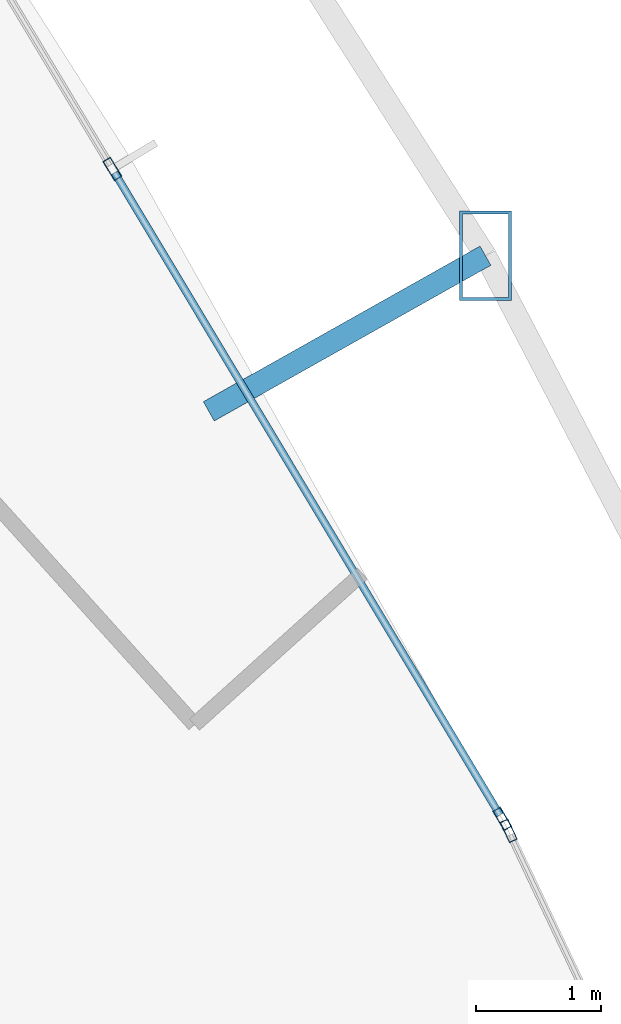
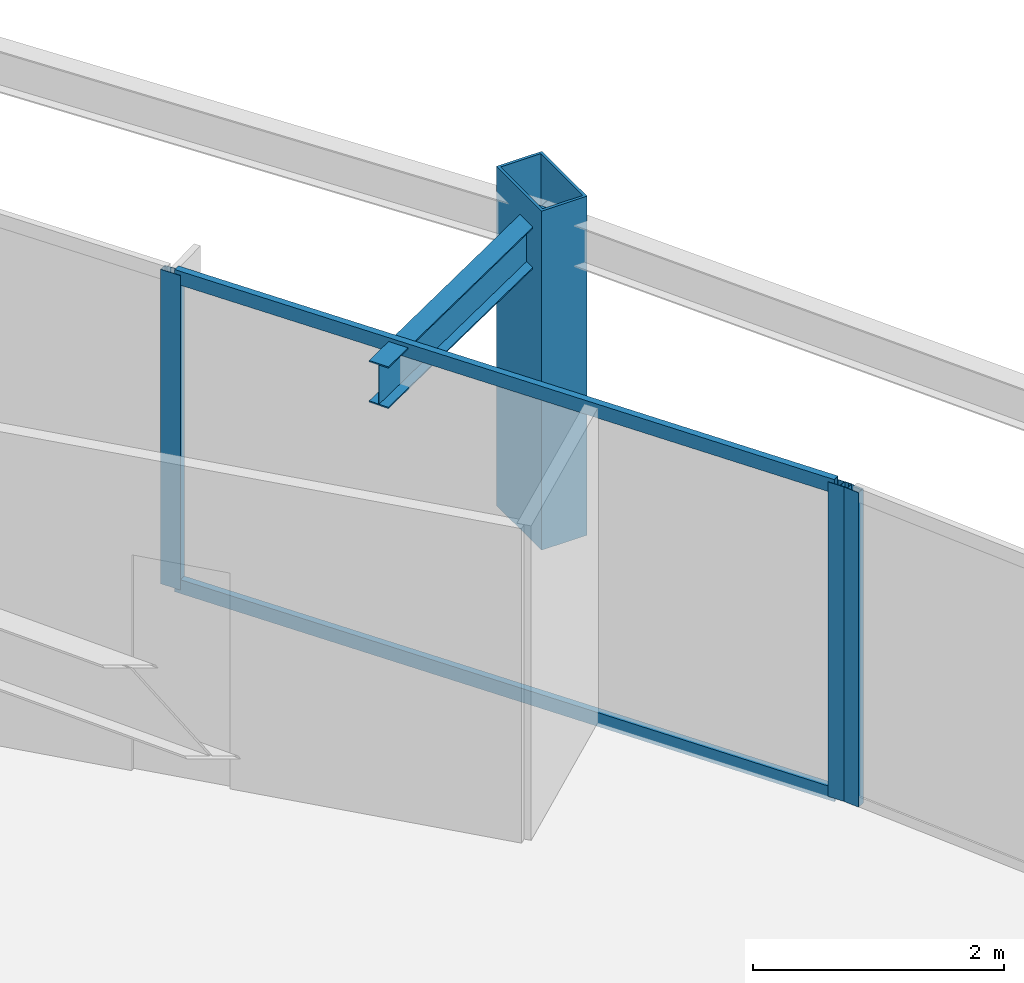
# One storey, part 18 of 34: 6 members, 1 beam, 2 elements without a shape of their own.
"""IFC4 building model written with IfcOpenShell, lengths in metres."""

from ifc_helpers import new_model, si_unit, direction, frame, origin, origin_2d, place, context, subcontext, project, spatial, hollow_rectangle, i_section, extrude, material, layer, layer_set, material_profile, profile_set, type_object, element, aggregate, save


model = new_model("IFC4")

# Units and contexts
model_context = context("Model", 3, precision=1e-05, world=origin(), true_north=direction((0.0, 1.0)))
body_context = subcontext(model_context, "Body", "Model", "MODEL_VIEW")
ifc_project = project(units=[si_unit("LENGTHUNIT", "METRE"), si_unit("AREAUNIT", "SQUARE_METRE"), si_unit("VOLUMEUNIT", "CUBIC_METRE"), si_unit("PLANEANGLEUNIT", "RADIAN"), si_unit("MASSUNIT", "GRAM", prefix="KILO")], contexts=[model_context])

# Site, building, storey
site_placement = place(None, origin())
site = spatial("IfcSite", under=ifc_project, at=site_placement, CompositionType="ELEMENT")
building_placement = place(site_placement, origin())
building = spatial("IfcBuilding", under=site, at=building_placement, Name="Orvanel Arch Residences", CompositionType="ELEMENT")
storey_placement = place(building_placement, frame((0.0, 0.0, 74.14990234375)))
storey = spatial("IfcBuildingStorey", under=building, at=storey_placement, Name="L20", CompositionType="ELEMENT", Elevation=74.14990234375)

# Member
ifc_material_1 = material(Name="Structural steel AS/NZS 3678 Grade 350", Category="steel")
ifc_material_profile_1 = material_profile(ifc_material_1, hollow_rectangle(XDim=0.419921875, YDim=0.719970703125, WallThickness=0.02490234375, at=origin_2d()), Name="RHS720x420x25")
ifc_profile_set_1 = profile_set([ifc_material_profile_1], Name="Structural steel AS/NZS 3678 Grade 350")
member_type_1 = type_object("IfcMemberType", Name="CH-720RHS-EXT", PredefinedType="CHORD", material=ifc_profile_set_1)
member_1_placement = place(storey_placement, frame((52.6279296875, 29.324951171875, 0.0), z_axis=(0.0, 0.0, 1.0), x_axis=(1.0, 0.0, 0.0)))
element("IfcMember", 1, at=member_1_placement, inside=storey, type_object=member_type_1, Name="L20 Outer Perimeter Frame Post 10", PredefinedType="CHORD", context=body_context, shape_type="SweptSolid", body=[
    extrude(hollow_rectangle(XDim=0.419921875, YDim=0.719970703125, WallThickness=0.02490234375, at=origin_2d()), origin(), (0.0, 0.0, 1.0), 3.300048828125),
])

# Curtain wall, member
ifc_material_2 = material(Name="Bronze-anodised aluminium AA6063-T6", Category="aluminium")
ifc_layer = layer(ifc_material_2, 0.179931640625)
ifc_layer_set = layer_set([ifc_layer], Name="Bronze-anodised aluminium AA6063-T6")
curtain_wall_type = type_object("IfcCurtainWallType", Name="CW2-LOW-SYS", PredefinedType="NOTDEFINED", material=ifc_layer_set)
curtain_wall_1_placement = place(storey_placement, origin())
curtain_wall_1 = element("IfcCurtainWall", 2, at=curtain_wall_1_placement, inside=storey, type_object=curtain_wall_type, Name="L20 CW2-LOW-SYS Unitised Curtain Wall", PredefinedType="NOTDEFINED")
ifc_material_profile_2 = material_profile(ifc_material_2, hollow_rectangle(XDim=0.070068359375, YDim=0.179931640625, WallThickness=0.00439453125, at=origin_2d()), Name="ALU180x70x4.5")
ifc_profile_set_2 = profile_set([ifc_material_profile_2], Name="Bronze-anodised aluminium AA6063-T6")
member_type_2 = type_object("IfcMemberType", Name="MUL-180x70", PredefinedType="MULLION", material=ifc_profile_set_2)
member_2_placement = place(storey_placement, frame((52.81396484375, 24.706298828125, 0.0), z_axis=(0.0, 0.0, 1.0), x_axis=(-0.903971140213, -0.427593472426, 0.0)))
member_2 = element("IfcMember", 3, at=member_2_placement, type_object=member_type_2, Name="CW-S2 mullion 3", PredefinedType="MULLION", context=body_context, shape_type="SweptSolid", body=[
    extrude(hollow_rectangle(XDim=0.070068359375, YDim=0.179931640625, WallThickness=0.00439453125, at=origin_2d()), origin(), (0.0, 0.0, 1.0), 3.06005859375),
])
aggregate(curtain_wall_1, [member_2])

# Curtain wall, members
curtain_wall_2_placement = place(storey_placement, origin())
curtain_wall_2 = element("IfcCurtainWall", 4, at=curtain_wall_2_placement, inside=storey, type_object=curtain_wall_type, Name="L20 CW2-LOW-SYS Unitised Curtain Wall", PredefinedType="NOTDEFINED")
member_3_placement = place(storey_placement, frame((52.761962890625, 24.802978515625, 0.0), z_axis=(0.0, 0.0, 1.0), x_axis=(-0.85755059276, -0.514399631471, 0.0)))
member_3 = element("IfcMember", 5, at=member_3_placement, type_object=member_type_2, Name="CW-S2 mullion 1", PredefinedType="MULLION", context=body_context, shape_type="SweptSolid", body=[
    extrude(hollow_rectangle(XDim=0.070068359375, YDim=0.179931640625, WallThickness=0.00439453125, at=origin_2d()), origin(), (0.0, 0.0, 1.0), 3.06005859375),
])
member_4_placement = place(storey_placement, frame((49.632080078125, 30.02099609375, 0.0), z_axis=(0.0, 0.0, 1.0), x_axis=(-0.85755059276, -0.514399631471, 0.0)))
member_4 = element("IfcMember", 6, at=member_4_placement, type_object=member_type_2, Name="CW-S2 mullion 2", PredefinedType="MULLION", context=body_context, shape_type="SweptSolid", body=[
    extrude(hollow_rectangle(XDim=0.070068359375, YDim=0.179931640625, WallThickness=0.00439453125, at=origin_2d()), origin(), (0.0, 0.0, 1.0), 3.06005859375),
])

# Beam
ifc_material_3 = material(Name="Structural steel AS/NZS 3679.1 Grade 300 (300 MPa)", Category="steel")
ifc_material_profile_3 = material_profile(ifc_material_3, i_section(OverallWidth=0.177978515625, OverallDepth=0.406005859375, WebThickness=0.0078125, FlangeThickness=0.0126953125, at=origin_2d()), Name="410UB59.7")
ifc_profile_set_3 = profile_set([ifc_material_profile_3], Name="Structural steel AS/NZS 3679.1 Grade 300 (300 MPa)")
beam_type = type_object("IfcBeamType", Name="OB-410UB-EXT", PredefinedType="SPANDREL", material=ifc_profile_set_3)
beam_placement = place(storey_placement, frame((50.406005859375, 28.074951171875, 2.857177734375), z_axis=(0.871547403263, 0.490311252028, 0.0), x_axis=(-0.490311252028, 0.871547403263, 0.0)))
element("IfcBeam", 7, at=beam_placement, inside=storey, type_object=beam_type, Name="L20 Outer Frame Radial Tie Beam 10", PredefinedType="SPANDREL", context=body_context, shape_type="SweptSolid", body=[
    extrude(i_section(OverallWidth=0.177978515625, OverallDepth=0.406005859375, WebThickness=0.0078125, FlangeThickness=0.0126953125, at=origin_2d()), origin(), (0.0, 0.0, 1.0), 2.54931640625),
])

# Member
ifc_material_profile_4 = material_profile(ifc_material_2, hollow_rectangle(XDim=0.06005859375, YDim=0.135009765625, WallThickness=0.00390625, at=origin_2d()), Name="ALU135x60x4")
ifc_profile_set_4 = profile_set([ifc_material_profile_4], Name="Bronze-anodised aluminium AA6063-T6")
member_type_3 = type_object("IfcMemberType", Name="TRN-135x60", PredefinedType="USERDEFINED", material=ifc_profile_set_4)
member_5_placement = place(storey_placement, frame((52.743896484375, 24.8330078125, 0.030029296875), z_axis=(-0.514400245764, 0.857550224277, 0.0), x_axis=(-0.857550224277, -0.514400245764, 0.0)))
member_5 = element("IfcMember", 8, at=member_5_placement, type_object=member_type_3, Name="CW-S2 transom 1.1", ObjectType="TRANSOM", PredefinedType="USERDEFINED", context=body_context, shape_type="SweptSolid", body=[
    extrude(hollow_rectangle(XDim=0.06005859375, YDim=0.135009765625, WallThickness=0.00390625, at=origin_2d()), origin(), (0.0, 0.0, 1.0), 6.0146484375),
])

member_6_placement = place(storey_placement, frame((52.743896484375, 24.8330078125, 3.030029296875), z_axis=(-0.514400245764, 0.857550224277, 0.0), x_axis=(-0.857550224277, -0.514400245764, 0.0)))
member_6 = element("IfcMember", 9, at=member_6_placement, type_object=member_type_3, Name="CW-S2 transom 1.2", ObjectType="TRANSOM", PredefinedType="USERDEFINED", context=body_context, shape_type="SweptSolid", body=[
    extrude(hollow_rectangle(XDim=0.06005859375, YDim=0.135009765625, WallThickness=0.00390625, at=origin_2d()), origin(), (0.0, 0.0, 1.0), 6.0146484375),
])

aggregate(curtain_wall_2, [member_3, member_4, member_5, member_6])

save(model, "model.ifc")
